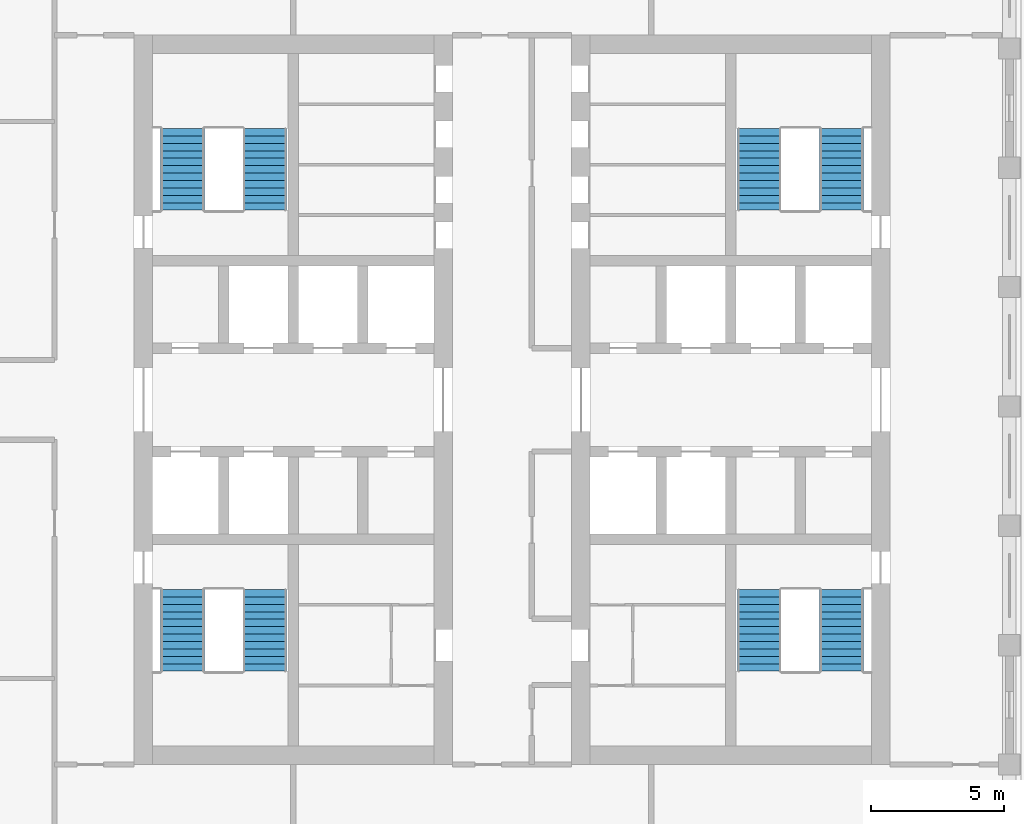
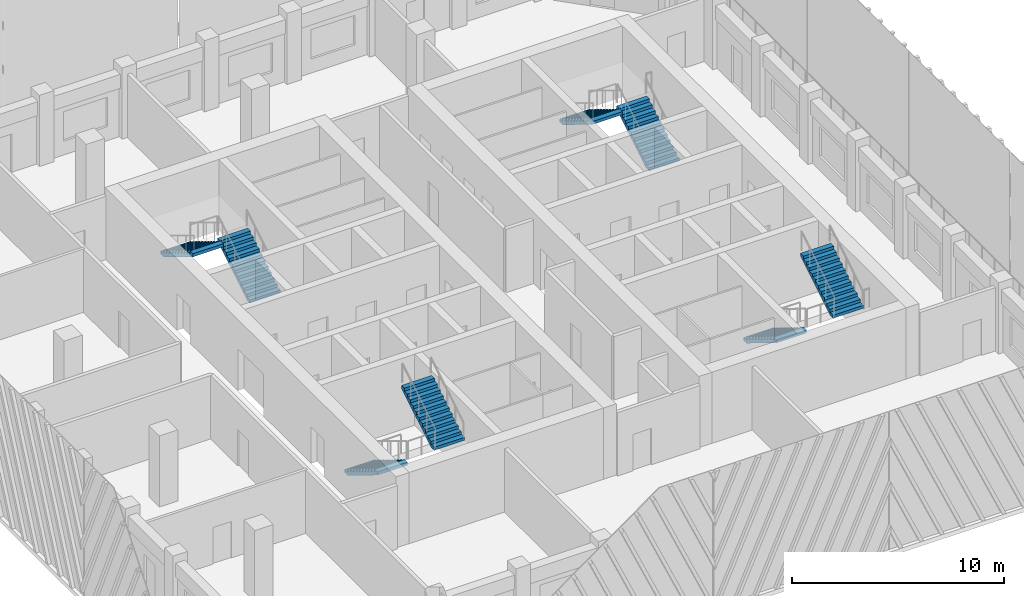
# One storey, part 7 of 15: 8 stair flights, 4 elements without a shape of their own.
"""IFC4 building model written with IfcOpenShell, lengths in metres."""

from ifc_helpers import new_model, si_unit, direction, frame, origin, place, context, subcontext, project, spatial, polyline, outline, extrude, material, type_object, element, aggregate, save


model = new_model("IFC4")

# Units and contexts
model_context = context("Model", 3, precision=1e-05, world=origin(), true_north=direction((0.0, 1.0)))
body_context = subcontext(model_context, "Body", "Model", "MODEL_VIEW")
ifc_project = project(units=[si_unit("LENGTHUNIT", "METRE"), si_unit("AREAUNIT", "SQUARE_METRE"), si_unit("VOLUMEUNIT", "CUBIC_METRE"), si_unit("PLANEANGLEUNIT", "RADIAN"), si_unit("MASSUNIT", "GRAM", prefix="KILO")], contexts=[model_context])

# Site, building, storey
site_placement = place(None, origin())
site = spatial("IfcSite", under=ifc_project, at=site_placement, CompositionType="ELEMENT")
building_placement = place(site_placement, origin())
building = spatial("IfcBuilding", under=site, at=building_placement, Name="Corbel Stack Research Tower", CompositionType="ELEMENT")
storey_placement = place(building_placement, frame((0.0, 0.0, 274.5)))
storey = spatial("IfcBuildingStorey", under=building, at=storey_placement, Name="L62", CompositionType="ELEMENT", Elevation=274.5)

# Stair, stair flights
ifc_material_1 = material(Name="Concrete C40/50", Category="concrete")
stair_type = type_object("IfcStairType", Name="Exit stair 24 risers", PredefinedType="HALF_TURN_STAIR", material=ifc_material_1)
stair_1_placement = place(storey_placement, origin())
stair_1 = element("IfcStair", 1, at=stair_1_placement, inside=storey, type_object=stair_type, Name="L62 Exit stair ST-W1", PredefinedType="HALF_TURN_STAIR")
ifc_material_2 = material(Name="Concrete C40/50", Category="concrete")
stair_flight_type = type_object("IfcStairFlightType", Name="Stair flight 12 risers", PredefinedType="STRAIGHT", material=ifc_material_2)
stair_flight_1_placement = place(storey_placement, frame((-8.675048828125, -2.39990234375, 0.0), z_axis=(0.0, 0.0, 1.0), x_axis=(0.0, -1.0, 0.0)))
stair_flight_1 = element("IfcStairFlight", 2, at=stair_flight_1_placement, type_object=stair_flight_type, Name="ST-W1 flight 1", NumberOfRisers=12, NumberOfTreads=11, PredefinedType="STRAIGHT", RiserHeight=0.170833333, TreadLength=0.28, context=body_context, shape_type="SweptSolid", body=[
    extrude(outline(polyline([(0.0, 0.0), (0.0, 0.1708984375), (0.280029296875, 0.1708984375), (0.280029296875, 0.341552734375), (0.56005859375, 0.341552734375), (0.56005859375, 0.512451171875), (0.840087890625, 0.512451171875), (0.840087890625, 0.683349609375), (1.1201171875, 0.683349609375), (1.1201171875, 0.854248046875), (1.39990234375, 0.854248046875), (1.39990234375, 1.02490234375), (1.679931640625, 1.02490234375), (1.679931640625, 1.19580078125), (1.9599609375, 1.19580078125), (1.9599609375, 1.36669921875), (2.239990234375, 1.36669921875), (2.239990234375, 1.53759765625), (2.52001953125, 1.53759765625), (2.52001953125, 1.708251953125), (2.800048828125, 1.708251953125), (2.800048828125, 1.879150390625), (3.080078125, 1.879150390625), (3.080078125, 2.050048828125), (3.080078125, 1.70361328125), (0.287841796875, 0.0), (0.0, 0.0)])), frame((0.0, 0.824951171875, 0.0), z_axis=(0.0, -1.0, 0.0), x_axis=(1.0, 0.0, 0.0)), (0.0, 0.0, 1.0), 1.64990234375),
])
stair_flight_2_placement = place(storey_placement, frame((-5.574951171875, -5.47998046875, 2.050048828125), z_axis=(0.0, 0.0, 1.0), x_axis=(0.0, 1.0, 0.0)))
stair_flight_2 = element("IfcStairFlight", 3, at=stair_flight_2_placement, type_object=stair_flight_type, Name="ST-W1 flight 2", NumberOfRisers=12, NumberOfTreads=11, PredefinedType="STRAIGHT", RiserHeight=0.170833333, TreadLength=0.28, context=body_context, shape_type="SweptSolid", body=[
    extrude(outline(polyline([(0.0, 0.0), (0.0, 0.1708984375), (0.280029296875, 0.1708984375), (0.280029296875, 0.341552734375), (0.56005859375, 0.341552734375), (0.56005859375, 0.512451171875), (0.840087890625, 0.512451171875), (0.840087890625, 0.683349609375), (1.1201171875, 0.683349609375), (1.1201171875, 0.854248046875), (1.39990234375, 0.854248046875), (1.39990234375, 1.02490234375), (1.679931640625, 1.02490234375), (1.679931640625, 1.19580078125), (1.9599609375, 1.19580078125), (1.9599609375, 1.36669921875), (2.239990234375, 1.36669921875), (2.239990234375, 1.53759765625), (2.52001953125, 1.53759765625), (2.52001953125, 1.708251953125), (2.800048828125, 1.708251953125), (2.800048828125, 1.879150390625), (3.080078125, 1.879150390625), (3.080078125, 2.050048828125), (3.080078125, 1.70361328125), (0.287841796875, 0.0), (0.0, 0.0)])), frame((0.0, 0.824951171875, 0.0), z_axis=(0.0, -1.0, 0.0), x_axis=(1.0, 0.0, 0.0)), (0.0, 0.0, 1.0), 1.64990234375),
])
aggregate(stair_1, [stair_flight_1, stair_flight_2])

stair_2_placement = place(storey_placement, origin())
stair_2 = element("IfcStair", 4, at=stair_2_placement, inside=storey, type_object=stair_type, Name="L62 Exit stair ST-W2", PredefinedType="HALF_TURN_STAIR")
stair_flight_3_placement = place(storey_placement, frame((-5.574951171875, 11.89990234375, 0.0), z_axis=(0.0, 0.0, 1.0), x_axis=(0.0, 1.0, 0.0)))
stair_flight_3 = element("IfcStairFlight", 5, at=stair_flight_3_placement, type_object=stair_flight_type, Name="ST-W2 flight 1", NumberOfRisers=12, NumberOfTreads=11, PredefinedType="STRAIGHT", RiserHeight=0.170833333, TreadLength=0.28, context=body_context, shape_type="SweptSolid", body=[
    extrude(outline(polyline([(0.0, 0.0), (0.0, 0.1708984375), (0.280029296875, 0.1708984375), (0.280029296875, 0.341552734375), (0.56005859375, 0.341552734375), (0.56005859375, 0.512451171875), (0.840087890625, 0.512451171875), (0.840087890625, 0.683349609375), (1.1201171875, 0.683349609375), (1.1201171875, 0.854248046875), (1.39990234375, 0.854248046875), (1.39990234375, 1.02490234375), (1.679931640625, 1.02490234375), (1.679931640625, 1.19580078125), (1.9599609375, 1.19580078125), (1.9599609375, 1.36669921875), (2.239990234375, 1.36669921875), (2.239990234375, 1.53759765625), (2.52001953125, 1.53759765625), (2.52001953125, 1.708251953125), (2.800048828125, 1.708251953125), (2.800048828125, 1.879150390625), (3.080078125, 1.879150390625), (3.080078125, 2.050048828125), (3.080078125, 1.70361328125), (0.287841796875, 0.0), (0.0, 0.0)])), frame((0.0, 0.824951171875, 0.0), z_axis=(0.0, -1.0, 0.0), x_axis=(1.0, 0.0, 0.0)), (0.0, 0.0, 1.0), 1.64990234375),
])
stair_flight_4_placement = place(storey_placement, frame((-8.675048828125, 14.97998046875, 2.050048828125), z_axis=(0.0, 0.0, 1.0), x_axis=(0.0, -1.0, 0.0)))
stair_flight_4 = element("IfcStairFlight", 6, at=stair_flight_4_placement, type_object=stair_flight_type, Name="ST-W2 flight 2", NumberOfRisers=12, NumberOfTreads=11, PredefinedType="STRAIGHT", RiserHeight=0.170833333, TreadLength=0.28, context=body_context, shape_type="SweptSolid", body=[
    extrude(outline(polyline([(0.0, 0.0), (0.0, 0.1708984375), (0.280029296875, 0.1708984375), (0.280029296875, 0.341552734375), (0.56005859375, 0.341552734375), (0.56005859375, 0.512451171875), (0.840087890625, 0.512451171875), (0.840087890625, 0.683349609375), (1.1201171875, 0.683349609375), (1.1201171875, 0.854248046875), (1.39990234375, 0.854248046875), (1.39990234375, 1.02490234375), (1.679931640625, 1.02490234375), (1.679931640625, 1.19580078125), (1.9599609375, 1.19580078125), (1.9599609375, 1.36669921875), (2.239990234375, 1.36669921875), (2.239990234375, 1.53759765625), (2.52001953125, 1.53759765625), (2.52001953125, 1.708251953125), (2.800048828125, 1.708251953125), (2.800048828125, 1.879150390625), (3.080078125, 1.879150390625), (3.080078125, 2.050048828125), (3.080078125, 1.70361328125), (0.287841796875, 0.0), (0.0, 0.0)])), frame((0.0, 0.824951171875, 0.0), z_axis=(0.0, -1.0, 0.0), x_axis=(1.0, 0.0, 0.0)), (0.0, 0.0, 1.0), 1.64990234375),
])
aggregate(stair_2, [stair_flight_3, stair_flight_4])

stair_3_placement = place(storey_placement, origin())
stair_3 = element("IfcStair", 7, at=stair_3_placement, inside=storey, type_object=stair_type, Name="L62 Exit stair ST-E1", PredefinedType="HALF_TURN_STAIR")
stair_flight_5_placement = place(storey_placement, frame((13.074951171875, -2.39990234375, 0.0), z_axis=(0.0, 0.0, 1.0), x_axis=(0.0, -1.0, 0.0)))
stair_flight_5 = element("IfcStairFlight", 8, at=stair_flight_5_placement, type_object=stair_flight_type, Name="ST-E1 flight 1", NumberOfRisers=12, NumberOfTreads=11, PredefinedType="STRAIGHT", RiserHeight=0.170833333, TreadLength=0.28, context=body_context, shape_type="SweptSolid", body=[
    extrude(outline(polyline([(0.0, 0.0), (0.0, 0.1708984375), (0.280029296875, 0.1708984375), (0.280029296875, 0.341552734375), (0.56005859375, 0.341552734375), (0.56005859375, 0.512451171875), (0.840087890625, 0.512451171875), (0.840087890625, 0.683349609375), (1.1201171875, 0.683349609375), (1.1201171875, 0.854248046875), (1.39990234375, 0.854248046875), (1.39990234375, 1.02490234375), (1.679931640625, 1.02490234375), (1.679931640625, 1.19580078125), (1.9599609375, 1.19580078125), (1.9599609375, 1.36669921875), (2.239990234375, 1.36669921875), (2.239990234375, 1.53759765625), (2.52001953125, 1.53759765625), (2.52001953125, 1.708251953125), (2.800048828125, 1.708251953125), (2.800048828125, 1.879150390625), (3.080078125, 1.879150390625), (3.080078125, 2.050048828125), (3.080078125, 1.70361328125), (0.287841796875, 0.0), (0.0, 0.0)])), frame((0.0, 0.824951171875, 0.0), z_axis=(0.0, -1.0, 0.0), x_axis=(1.0, 0.0, 0.0)), (0.0, 0.0, 1.0), 1.64990234375),
])
stair_flight_6_placement = place(storey_placement, frame((16.175048828125, -5.47998046875, 2.050048828125), z_axis=(0.0, 0.0, 1.0), x_axis=(0.0, 1.0, 0.0)))
stair_flight_6 = element("IfcStairFlight", 9, at=stair_flight_6_placement, type_object=stair_flight_type, Name="ST-E1 flight 2", NumberOfRisers=12, NumberOfTreads=11, PredefinedType="STRAIGHT", RiserHeight=0.170833333, TreadLength=0.28, context=body_context, shape_type="SweptSolid", body=[
    extrude(outline(polyline([(0.0, 0.0), (0.0, 0.1708984375), (0.280029296875, 0.1708984375), (0.280029296875, 0.341552734375), (0.56005859375, 0.341552734375), (0.56005859375, 0.512451171875), (0.840087890625, 0.512451171875), (0.840087890625, 0.683349609375), (1.1201171875, 0.683349609375), (1.1201171875, 0.854248046875), (1.39990234375, 0.854248046875), (1.39990234375, 1.02490234375), (1.679931640625, 1.02490234375), (1.679931640625, 1.19580078125), (1.9599609375, 1.19580078125), (1.9599609375, 1.36669921875), (2.239990234375, 1.36669921875), (2.239990234375, 1.53759765625), (2.52001953125, 1.53759765625), (2.52001953125, 1.708251953125), (2.800048828125, 1.708251953125), (2.800048828125, 1.879150390625), (3.080078125, 1.879150390625), (3.080078125, 2.050048828125), (3.080078125, 1.70361328125), (0.287841796875, 0.0), (0.0, 0.0)])), frame((0.0, 0.824951171875, 0.0), z_axis=(0.0, -1.0, 0.0), x_axis=(1.0, 0.0, 0.0)), (0.0, 0.0, 1.0), 1.64990234375),
])
aggregate(stair_3, [stair_flight_5, stair_flight_6])

stair_4_placement = place(storey_placement, origin())
stair_4 = element("IfcStair", 10, at=stair_4_placement, inside=storey, type_object=stair_type, Name="L62 Exit stair ST-E2", PredefinedType="HALF_TURN_STAIR")
stair_flight_7_placement = place(storey_placement, frame((16.175048828125, 11.89990234375, 0.0), z_axis=(0.0, 0.0, 1.0), x_axis=(0.0, 1.0, 0.0)))
stair_flight_7 = element("IfcStairFlight", 11, at=stair_flight_7_placement, type_object=stair_flight_type, Name="ST-E2 flight 1", NumberOfRisers=12, NumberOfTreads=11, PredefinedType="STRAIGHT", RiserHeight=0.170833333, TreadLength=0.28, context=body_context, shape_type="SweptSolid", body=[
    extrude(outline(polyline([(0.0, 0.0), (0.0, 0.1708984375), (0.280029296875, 0.1708984375), (0.280029296875, 0.341552734375), (0.56005859375, 0.341552734375), (0.56005859375, 0.512451171875), (0.840087890625, 0.512451171875), (0.840087890625, 0.683349609375), (1.1201171875, 0.683349609375), (1.1201171875, 0.854248046875), (1.39990234375, 0.854248046875), (1.39990234375, 1.02490234375), (1.679931640625, 1.02490234375), (1.679931640625, 1.19580078125), (1.9599609375, 1.19580078125), (1.9599609375, 1.36669921875), (2.239990234375, 1.36669921875), (2.239990234375, 1.53759765625), (2.52001953125, 1.53759765625), (2.52001953125, 1.708251953125), (2.800048828125, 1.708251953125), (2.800048828125, 1.879150390625), (3.080078125, 1.879150390625), (3.080078125, 2.050048828125), (3.080078125, 1.70361328125), (0.287841796875, 0.0), (0.0, 0.0)])), frame((0.0, 0.824951171875, 0.0), z_axis=(0.0, -1.0, 0.0), x_axis=(1.0, 0.0, 0.0)), (0.0, 0.0, 1.0), 1.64990234375),
])
stair_flight_8_placement = place(storey_placement, frame((13.074951171875, 14.97998046875, 2.050048828125), z_axis=(0.0, 0.0, 1.0), x_axis=(0.0, -1.0, 0.0)))
stair_flight_8 = element("IfcStairFlight", 12, at=stair_flight_8_placement, type_object=stair_flight_type, Name="ST-E2 flight 2", NumberOfRisers=12, NumberOfTreads=11, PredefinedType="STRAIGHT", RiserHeight=0.170833333, TreadLength=0.28, context=body_context, shape_type="SweptSolid", body=[
    extrude(outline(polyline([(0.0, 0.0), (0.0, 0.1708984375), (0.280029296875, 0.1708984375), (0.280029296875, 0.341552734375), (0.56005859375, 0.341552734375), (0.56005859375, 0.512451171875), (0.840087890625, 0.512451171875), (0.840087890625, 0.683349609375), (1.1201171875, 0.683349609375), (1.1201171875, 0.854248046875), (1.39990234375, 0.854248046875), (1.39990234375, 1.02490234375), (1.679931640625, 1.02490234375), (1.679931640625, 1.19580078125), (1.9599609375, 1.19580078125), (1.9599609375, 1.36669921875), (2.239990234375, 1.36669921875), (2.239990234375, 1.53759765625), (2.52001953125, 1.53759765625), (2.52001953125, 1.708251953125), (2.800048828125, 1.708251953125), (2.800048828125, 1.879150390625), (3.080078125, 1.879150390625), (3.080078125, 2.050048828125), (3.080078125, 1.70361328125), (0.287841796875, 0.0), (0.0, 0.0)])), frame((0.0, 0.824951171875, 0.0), z_axis=(0.0, -1.0, 0.0), x_axis=(1.0, 0.0, 0.0)), (0.0, 0.0, 1.0), 1.64990234375),
])
aggregate(stair_4, [stair_flight_7, stair_flight_8])

save(model, "model.ifc")
